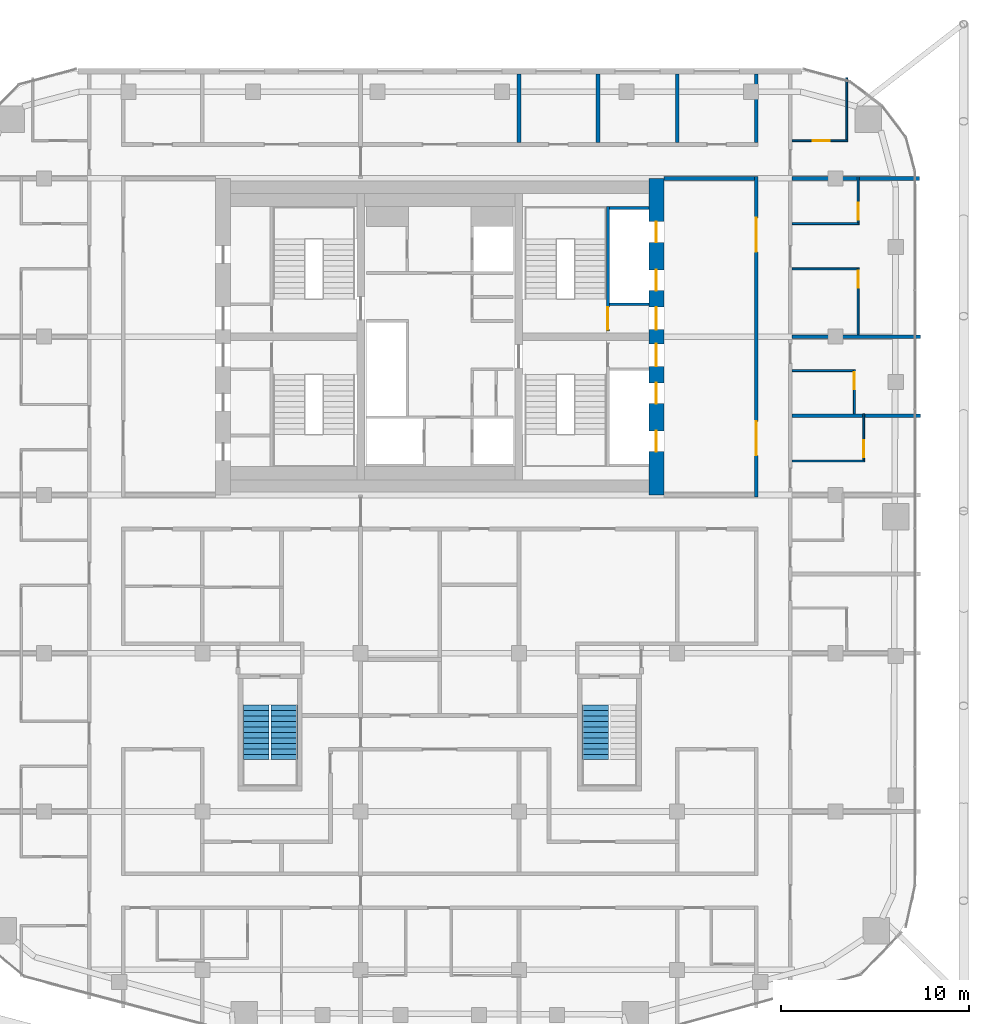
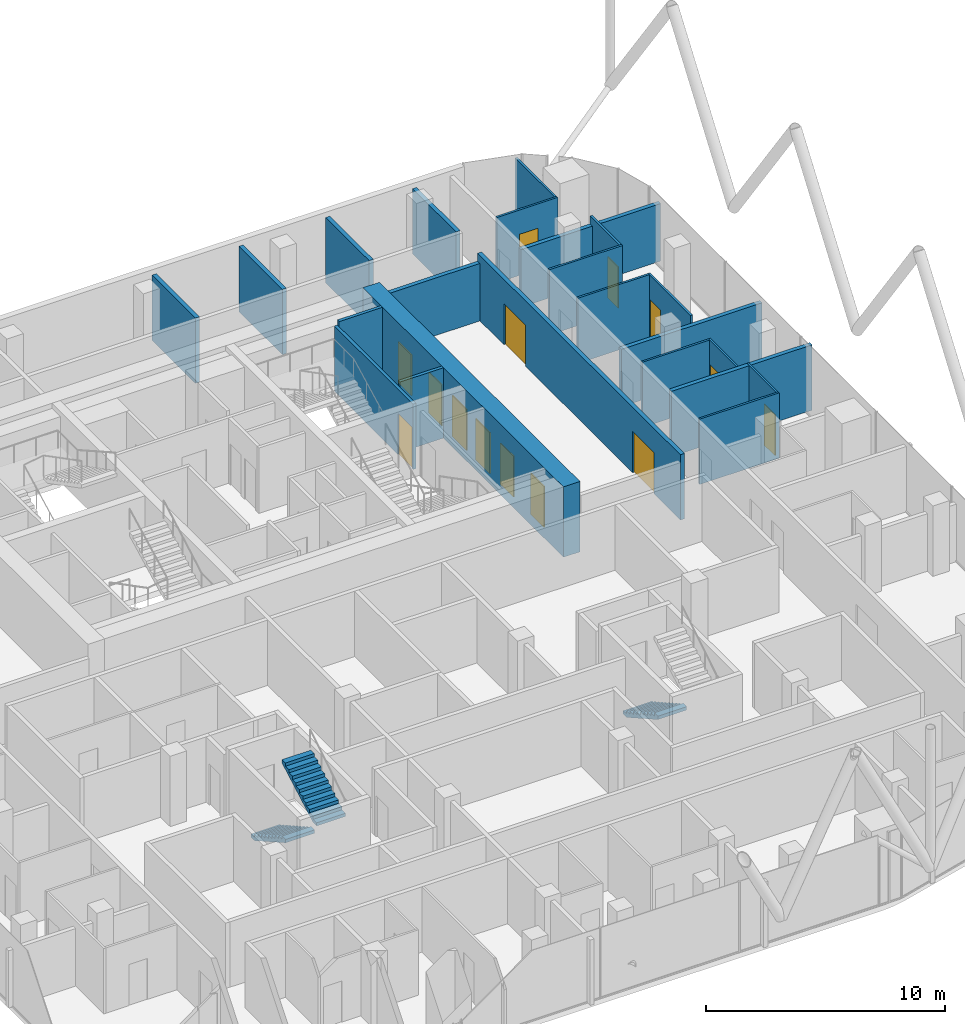
# One storey, part 26 of 28: 23 walls, 14 doors, 3 stair flights, 14 openings, 2 elements without a shape of their own.
"""IFC4 building model written with IfcOpenShell, lengths in metres."""

from ifc_helpers import new_model, si_unit, direction, frame, frame_2d, origin, place, context, subcontext, project, spatial, polyline, rectangle, outline, extrude, material, layer, layer_set, type_object, element, fill, aggregate, save


model = new_model("IFC4")

# Units and contexts
model_context = context("Model", 3, precision=1e-05, world=origin(), true_north=direction((0.0, 1.0)))
body_context = subcontext(model_context, "Body", "Model", "MODEL_VIEW")
ifc_project = project(units=[si_unit("LENGTHUNIT", "METRE"), si_unit("AREAUNIT", "SQUARE_METRE"), si_unit("VOLUMEUNIT", "CUBIC_METRE"), si_unit("PLANEANGLEUNIT", "RADIAN"), si_unit("MASSUNIT", "GRAM", prefix="KILO")], contexts=[model_context])

# Site, building, storey
site_placement = place(None, origin())
site = spatial("IfcSite", under=ifc_project, at=site_placement, CompositionType="ELEMENT")
building_placement = place(site_placement, origin())
building = spatial("IfcBuilding", under=site, at=building_placement, Name="Marenta Gate Hotel Tower", CompositionType="ELEMENT")
storey_placement = place(building_placement, frame((0.0, 0.0, 241.699951171875)))
storey = spatial("IfcBuildingStorey", under=building, at=storey_placement, Name="L57", CompositionType="ELEMENT", Elevation=241.699951171875)

# Wall, openings, doors
ifc_material_1 = material(Name="Concrete blockwork", Category="masonry")
ifc_layer_1 = layer(ifc_material_1, 0.199951171875)
ifc_layer_set_1 = layer_set([ifc_layer_1], Name="Concrete blockwork")
wall_type_1 = type_object("IfcWallType", Name="Core boundary wall 200 REI 180", PredefinedType="PARTITIONING", material=ifc_layer_set_1)
wall_1_placement = place(storey_placement, frame((16.800048828125, -0.10009765625, 0.0), z_axis=(0.0, 0.0, 1.0), x_axis=(0.0, 1.0, 0.0)))
wall_1 = element("IfcWall", 1, at=wall_1_placement, inside=storey, type_object=wall_type_1, Name="L57-CP-BW-E", PredefinedType="PARTITIONING", context=body_context, shape_type="SweptSolid", body=[
    extrude(rectangle(XDim=17.0, YDim=0.199951171875, at=frame_2d((8.5, 0.0))), origin(), (0.0, 0.0, 1.0), 3.340087890625),
])
opening_1_placement = place(wall_1_placement, frame((2.199951171875, 0.0, 0.0)))
opening_1 = element("IfcOpeningElement", 2, at=opening_1_placement, cuts=wall_1, Name="Opening ED-Ea-B", PredefinedType="OPENING", context=body_context, shape_type="SweptSolid", body=[
    extrude(rectangle(XDim=1.800048828125, YDim=2.10009765625, at=frame_2d((0.89990234375, 1.050048828125))), frame((0.0, 0.10009765625, 0.0), z_axis=(0.0, -1.0, 0.0), x_axis=(1.0, 0.0, 0.0)), (0.0, 0.0, 1.0), 0.199951171875),
])
opening_2_placement = place(wall_1_placement, frame((13.0, 0.0, 0.0)))
opening_2 = element("IfcOpeningElement", 3, at=opening_2_placement, cuts=wall_1, Name="Opening ED-Eb-B", PredefinedType="OPENING", context=body_context, shape_type="SweptSolid", body=[
    extrude(rectangle(XDim=1.800048828125, YDim=2.10009765625, at=frame_2d((0.89990234375, 1.050048828125))), frame((0.0, 0.10009765625, 0.0), z_axis=(0.0, -1.0, 0.0), x_axis=(1.0, 0.0, 0.0)), (0.0, 0.0, 1.0), 0.199951171875),
])
ifc_material_2 = material(Name="Steel", Category="steel")
door_type_1 = type_object("IfcDoorType", Name="Core lobby entrance door 1800x2100 EI 60", OperationType="DOUBLE_DOOR_SINGLE_SWING", PredefinedType="DOOR", material=ifc_material_2)
door_1_placement = place(opening_1_placement, origin())
door_1 = element("IfcDoor", 4, at=door_1_placement, inside=storey, type_object=door_type_1, Name="ED-Ea-B", OperationType="DOUBLE_DOOR_SINGLE_SWING", OverallHeight=2.10009765625, OverallWidth=1.800048828125, PredefinedType="DOOR", context=body_context, shape_type="SweptSolid", body=[
    extrude(rectangle(XDim=1.800048828125, YDim=2.10009765625, at=frame_2d((0.89990234375, 1.050048828125))), frame((0.0, 0.02490234375, 0.0), z_axis=(0.0, -1.0, 0.0), x_axis=(1.0, 0.0, 0.0)), (0.0, 0.0, 1.0), 0.050048828125),
])
fill(opening_1, door_1)
door_2_placement = place(opening_2_placement, origin())
door_2 = element("IfcDoor", 5, at=door_2_placement, inside=storey, type_object=door_type_1, Name="ED-Eb-B", OperationType="DOUBLE_DOOR_SINGLE_SWING", OverallHeight=2.10009765625, OverallWidth=1.800048828125, PredefinedType="DOOR", context=body_context, shape_type="SweptSolid", body=[
    extrude(rectangle(XDim=1.800048828125, YDim=2.10009765625, at=frame_2d((0.89990234375, 1.050048828125))), frame((0.0, 0.02490234375, 0.0), z_axis=(0.0, -1.0, 0.0), x_axis=(1.0, 0.0, 0.0)), (0.0, 0.0, 1.0), 0.050048828125),
])
fill(opening_2, door_2)

# Walls
wall_2_placement = place(storey_placement, frame((11.89990234375, 16.800048828125, 0.0), z_axis=(0.0, 0.0, 1.0), x_axis=(1.0, 0.0, 0.0)))
element("IfcWall", 6, at=wall_2_placement, inside=storey, type_object=wall_type_1, Name="L57-CP-EW-EN", PredefinedType="PARTITIONING", context=body_context, shape_type="SweptSolid", body=[
    extrude(rectangle(XDim=4.800048828125, YDim=0.199951171875, at=frame_2d((2.39990234375, 0.0))), origin(), (0.0, 0.0, 1.0), 2.93994140625),
])
ifc_material_3 = material(Name="Concrete C40", Category="concrete")
ifc_layer_2 = layer(ifc_material_3, 0.14990234375)
ifc_layer_set_2 = layer_set([ifc_layer_2], Name="Concrete C40")
wall_type_2 = type_object("IfcWallType", Name="Core shaft wall 150 REI 180", PredefinedType="SHEAR", material=ifc_layer_set_2)
for number, where, z_axis, x_axis, name in (
    (7, (9.0, 10.125, 0.0), (0.0, 0.0, 1.0), (1.0, 0.0, 0.0), "L57-SHF-SW-EN-2"),
    (8, (9.0, 15.22509765625, 0.0), (0.0, 0.0, 1.0), (1.0, 0.0, 0.0), "L57-SHF-SW-EN-5"),
):
    element("IfcWall", number, at=place(storey_placement, frame(where, z_axis=z_axis, x_axis=x_axis)), inside=storey, type_object=wall_type_2, Name=name, PredefinedType="SHEAR", context=body_context, shape_type="SweptSolid", body=[
        extrude(rectangle(XDim=2.10009765625, YDim=0.14990234375, at=frame_2d((1.050048828125, 0.0))), origin(), (0.0, 0.0, 1.0), 3.60009765625),
    ])

# Wall, opening, door
ifc_material_4 = material(Name="Concrete C40", Category="concrete")
ifc_layer_3 = layer(ifc_material_4, 0.14990234375)
ifc_layer_set_3 = layer_set([ifc_layer_3], Name="Concrete C40")
wall_type_3 = type_object("IfcWallType", Name="Core stair enclosure wall 150 REI 180", PredefinedType="SHEAR", material=ifc_layer_set_3)
wall_3_placement = place(storey_placement, frame((8.925048828125, 8.699951171875, 0.0), z_axis=(0.0, 0.0, 1.0), x_axis=(0.0, 1.0, 0.0)))
wall_3 = element("IfcWall", 9, at=wall_3_placement, inside=storey, type_object=wall_type_3, Name="L57-SHF-SW-EN-3", PredefinedType="SHEAR", context=body_context, shape_type="SweptSolid", body=[
    extrude(rectangle(XDim=6.60009765625, YDim=0.14990234375, at=frame_2d((3.300048828125, 0.0))), origin(), (0.0, 0.0, 1.0), 3.340087890625),
])
opening_3_placement = place(wall_3_placement, frame((0.074951171875, 0.0, 0.0)))
opening_3 = element("IfcOpeningElement", 10, at=opening_3_placement, cuts=wall_3, Name="Opening SD-EN", PredefinedType="OPENING", context=body_context, shape_type="SweptSolid", body=[
    extrude(rectangle(XDim=1.199951171875, YDim=2.10009765625, at=frame_2d((0.60009765625, 1.050048828125))), frame((0.0, 0.074951171875, 0.0), z_axis=(0.0, -1.0, 0.0), x_axis=(1.0, 0.0, 0.0)), (0.0, 0.0, 1.0), 0.14990234375),
])
ifc_material_5 = material(Name="Steel", Category="steel")
door_type_2 = type_object("IfcDoorType", Name="Core stair door 1200x2100 FD60", OperationType="SINGLE_SWING_LEFT", PredefinedType="DOOR", material=ifc_material_5)
door_3_placement = place(opening_3_placement, origin())
door_3 = element("IfcDoor", 11, at=door_3_placement, inside=storey, type_object=door_type_2, Name="SD-EN", OperationType="SINGLE_SWING_LEFT", OverallHeight=2.10009765625, OverallWidth=1.199951171875, PredefinedType="DOOR", context=body_context, shape_type="SweptSolid", body=[
    extrude(rectangle(XDim=1.199951171875, YDim=2.10009765625, at=frame_2d((0.60009765625, 1.050048828125))), frame((0.0, 0.02490234375, 0.0), z_axis=(0.0, -1.0, 0.0), x_axis=(1.0, 0.0, 0.0)), (0.0, 0.0, 1.0), 0.050048828125),
])
fill(opening_3, door_3)

# Wall, openings, doors
ifc_material_6 = material(Name="Concrete C60", Category="concrete")
ifc_layer_4 = layer(ifc_material_6, 0.800048828125)
ifc_layer_set_4 = layer_set([ifc_layer_4], Name="Concrete C60")
wall_type_4 = type_object("IfcWallType", Name="Core wall 800 C60", PredefinedType="SHEAR", material=ifc_layer_set_4)
wall_4_placement = place(storey_placement, frame((11.5, 0.0, 0.0), z_axis=(0.0, 0.0, 1.0), x_axis=(0.0, 1.0, 0.0)))
wall_4 = element("IfcWall", 12, at=wall_4_placement, inside=storey, type_object=wall_type_4, Name="L57-CORE-E", PredefinedType="SHEAR", context=body_context, shape_type="SweptSolid", body=[
    extrude(rectangle(XDim=16.800048828125, YDim=0.800048828125, at=frame_2d((8.39990234375, 0.0))), origin(), (0.0, 0.0, 1.0), 3.60009765625),
])
opening_4_placement = place(wall_4_placement, frame((2.300048828125, 0.0, 0.0)))
opening_4 = element("IfcOpeningElement", 13, at=opening_4_placement, cuts=wall_4, Name="Opening LD-HR1", PredefinedType="OPENING", context=body_context, shape_type="SweptSolid", body=[
    extrude(rectangle(XDim=1.10009765625, YDim=2.10009765625, at=frame_2d((0.550048828125, 1.050048828125))), frame((0.0, 0.39990234375, 0.0), z_axis=(0.0, -1.0, 0.0), x_axis=(1.0, 0.0, 0.0)), (0.0, 0.0, 1.0), 0.800048828125),
])
opening_5_placement = place(wall_4_placement, frame((4.85009765625, 0.0, 0.0)))
opening_5 = element("IfcOpeningElement", 14, at=opening_5_placement, cuts=wall_4, Name="Opening LD-HR2", PredefinedType="OPENING", context=body_context, shape_type="SweptSolid", body=[
    extrude(rectangle(XDim=1.10009765625, YDim=2.10009765625, at=frame_2d((0.550048828125, 1.050048828125))), frame((0.0, 0.39990234375, 0.0), z_axis=(0.0, -1.0, 0.0), x_axis=(1.0, 0.0, 0.0)), (0.0, 0.0, 1.0), 0.800048828125),
])
opening_6_placement = place(wall_4_placement, frame((6.824951171875, 0.0, 0.0)))
opening_6 = element("IfcOpeningElement", 15, at=opening_6_placement, cuts=wall_4, Name="Opening PD-ES", PredefinedType="OPENING", context=body_context, shape_type="SweptSolid", body=[
    extrude(rectangle(XDim=1.199951171875, YDim=2.10009765625, at=frame_2d((0.60009765625, 1.050048828125))), frame((0.0, 0.39990234375, 0.0), z_axis=(0.0, -1.0, 0.0), x_axis=(1.0, 0.0, 0.0)), (0.0, 0.0, 1.0), 0.800048828125),
])
opening_7_placement = place(wall_4_placement, frame((13.39990234375, 0.0, 0.0)))
opening_7 = element("IfcOpeningElement", 16, at=opening_7_placement, cuts=wall_4, Name="Opening LD-HR4", PredefinedType="OPENING", context=body_context, shape_type="SweptSolid", body=[
    extrude(rectangle(XDim=1.10009765625, YDim=2.10009765625, at=frame_2d((0.550048828125, 1.050048828125))), frame((0.0, 0.39990234375, 0.0), z_axis=(0.0, -1.0, 0.0), x_axis=(1.0, 0.0, 0.0)), (0.0, 0.0, 1.0), 0.800048828125),
])
opening_8_placement = place(wall_4_placement, frame((10.85009765625, 0.0, 0.0)))
opening_8 = element("IfcOpeningElement", 17, at=opening_8_placement, cuts=wall_4, Name="Opening LD-HR3", PredefinedType="OPENING", context=body_context, shape_type="SweptSolid", body=[
    extrude(rectangle(XDim=1.10009765625, YDim=2.10009765625, at=frame_2d((0.550048828125, 1.050048828125))), frame((0.0, 0.39990234375, 0.0), z_axis=(0.0, -1.0, 0.0), x_axis=(1.0, 0.0, 0.0)), (0.0, 0.0, 1.0), 0.800048828125),
])
opening_9_placement = place(wall_4_placement, frame((8.77490234375, 0.0, 0.0)))
opening_9 = element("IfcOpeningElement", 18, at=opening_9_placement, cuts=wall_4, Name="Opening PD-EN", PredefinedType="OPENING", context=body_context, shape_type="SweptSolid", body=[
    extrude(rectangle(XDim=1.199951171875, YDim=2.10009765625, at=frame_2d((0.60009765625, 1.050048828125))), frame((0.0, 0.39990234375, 0.0), z_axis=(0.0, -1.0, 0.0), x_axis=(1.0, 0.0, 0.0)), (0.0, 0.0, 1.0), 0.800048828125),
])
ifc_material_7 = material(Name="Steel", Category="steel")
door_type_3 = type_object("IfcDoorType", Name="Core lift landing door 1100x2100 E 60", OperationType="SLIDING_TO_LEFT", PredefinedType="DOOR", material=ifc_material_7)
door_4_placement = place(opening_4_placement, origin())
door_4 = element("IfcDoor", 19, at=door_4_placement, inside=storey, type_object=door_type_3, Name="LD-HR1", OperationType="SLIDING_TO_LEFT", OverallHeight=2.10009765625, OverallWidth=1.10009765625, PredefinedType="DOOR", context=body_context, shape_type="SweptSolid", body=[
    extrude(rectangle(XDim=1.10009765625, YDim=2.10009765625, at=frame_2d((0.550048828125, 1.050048828125))), frame((0.0, 0.02490234375, 0.0), z_axis=(0.0, -1.0, 0.0), x_axis=(1.0, 0.0, 0.0)), (0.0, 0.0, 1.0), 0.050048828125),
])
fill(opening_4, door_4)
door_5_placement = place(opening_5_placement, origin())
door_5 = element("IfcDoor", 20, at=door_5_placement, inside=storey, type_object=door_type_3, Name="LD-HR2", OperationType="SLIDING_TO_LEFT", OverallHeight=2.10009765625, OverallWidth=1.10009765625, PredefinedType="DOOR", context=body_context, shape_type="SweptSolid", body=[
    extrude(rectangle(XDim=1.10009765625, YDim=2.10009765625, at=frame_2d((0.550048828125, 1.050048828125))), frame((0.0, 0.02490234375, 0.0), z_axis=(0.0, -1.0, 0.0), x_axis=(1.0, 0.0, 0.0)), (0.0, 0.0, 1.0), 0.050048828125),
])
fill(opening_5, door_5)
door_6_placement = place(opening_7_placement, origin())
door_6 = element("IfcDoor", 21, at=door_6_placement, inside=storey, type_object=door_type_3, Name="LD-HR4", OperationType="SLIDING_TO_LEFT", OverallHeight=2.10009765625, OverallWidth=1.10009765625, PredefinedType="DOOR", context=body_context, shape_type="SweptSolid", body=[
    extrude(rectangle(XDim=1.10009765625, YDim=2.10009765625, at=frame_2d((0.550048828125, 1.050048828125))), frame((0.0, 0.02490234375, 0.0), z_axis=(0.0, -1.0, 0.0), x_axis=(1.0, 0.0, 0.0)), (0.0, 0.0, 1.0), 0.050048828125),
])
fill(opening_7, door_6)
door_7_placement = place(opening_8_placement, origin())
door_7 = element("IfcDoor", 22, at=door_7_placement, inside=storey, type_object=door_type_3, Name="LD-HR3", OperationType="SLIDING_TO_LEFT", OverallHeight=2.10009765625, OverallWidth=1.10009765625, PredefinedType="DOOR", context=body_context, shape_type="SweptSolid", body=[
    extrude(rectangle(XDim=1.10009765625, YDim=2.10009765625, at=frame_2d((0.550048828125, 1.050048828125))), frame((0.0, 0.02490234375, 0.0), z_axis=(0.0, -1.0, 0.0), x_axis=(1.0, 0.0, 0.0)), (0.0, 0.0, 1.0), 0.050048828125),
])
fill(opening_8, door_7)
ifc_material_8 = material(Name="Steel", Category="steel")
door_type_4 = type_object("IfcDoorType", Name="Core lobby door 1200x2100 FD60", OperationType="SINGLE_SWING_LEFT", PredefinedType="DOOR", material=ifc_material_8)
door_8_placement = place(opening_6_placement, origin())
door_8 = element("IfcDoor", 23, at=door_8_placement, inside=storey, type_object=door_type_4, Name="PD-ES", OperationType="SINGLE_SWING_LEFT", OverallHeight=2.10009765625, OverallWidth=1.199951171875, PredefinedType="DOOR", context=body_context, shape_type="SweptSolid", body=[
    extrude(rectangle(XDim=1.199951171875, YDim=2.10009765625, at=frame_2d((0.60009765625, 1.050048828125))), frame((0.0, 0.02490234375, 0.0), z_axis=(0.0, -1.0, 0.0), x_axis=(1.0, 0.0, 0.0)), (0.0, 0.0, 1.0), 0.050048828125),
])
fill(opening_6, door_8)
door_9_placement = place(opening_9_placement, origin())
door_9 = element("IfcDoor", 24, at=door_9_placement, inside=storey, type_object=door_type_4, Name="PD-EN", OperationType="SINGLE_SWING_LEFT", OverallHeight=2.10009765625, OverallWidth=1.199951171875, PredefinedType="DOOR", context=body_context, shape_type="SweptSolid", body=[
    extrude(rectangle(XDim=1.199951171875, YDim=2.10009765625, at=frame_2d((0.60009765625, 1.050048828125))), frame((0.0, 0.02490234375, 0.0), z_axis=(0.0, -1.0, 0.0), x_axis=(1.0, 0.0, 0.0)), (0.0, 0.0, 1.0), 0.050048828125),
])
fill(opening_9, door_9)

# Wall
ifc_material_9 = material(Name="Gypsum board on steel stud", Category="steel")
ifc_layer_5 = layer(ifc_material_9, 0.199951171875)
ifc_layer_set_5 = layer_set([ifc_layer_5], Name="Gypsum board on steel stud")
wall_type_5 = type_object("IfcWallType", Name="Room corridor wall 200 EI 60", PredefinedType="PARTITIONING", material=ifc_layer_set_5)
wall_5_placement = place(storey_placement, frame((16.800048828125, 18.699951171875, 0.0), z_axis=(0.0, 0.0, 1.0), x_axis=(0.0, 1.0, 0.0)))
element("IfcWall", 25, at=wall_5_placement, inside=storey, type_object=wall_type_5, Name="L57-PTN-W023", PredefinedType="PARTITIONING", context=body_context, shape_type="SweptSolid", body=[
    extrude(rectangle(XDim=3.64013671875, YDim=0.199951171875, at=frame_2d((1.820068359375, 0.0))), origin(), (0.0, 0.0, 1.0), 3.340087890625),
])

# Wall, opening, door
ifc_material_10 = material(Name="Gypsum board on steel stud", Category="steel")
ifc_layer_6 = layer(ifc_material_10, 0.10009765625)
ifc_layer_set_6 = layer_set([ifc_layer_6], Name="Gypsum board on steel stud")
wall_type_6 = type_object("IfcWallType", Name="Room partition 100", PredefinedType="PARTITIONING", material=ifc_layer_set_6)
wall_6_placement = place(storey_placement, frame((22.5, 1.85009765625, 0.0), z_axis=(0.0, 0.0, 1.0), x_axis=(0.0, 1.0, 0.0)))
wall_6 = element("IfcWall", 26, at=wall_6_placement, inside=storey, type_object=wall_type_6, Name="L57-PTN-W007", PredefinedType="PARTITIONING", context=body_context, shape_type="SweptSolid", body=[
    extrude(rectangle(XDim=2.449951171875, YDim=0.10009765625, at=frame_2d((1.22509765625, 0.0))), origin(), (0.0, 0.0, 1.0), 3.340087890625),
])
opening_10_placement = place(wall_6_placement, frame((0.14990234375, 0.0, 0.0)))
opening_10 = element("IfcOpeningElement", 27, at=opening_10_placement, cuts=wall_6, Name="Opening G21-21", PredefinedType="OPENING", context=body_context, shape_type="SweptSolid", body=[
    extrude(rectangle(XDim=0.89990234375, YDim=2.10009765625, at=frame_2d((0.449951171875, 1.050048828125))), frame((0.0, 0.050048828125, 0.0), z_axis=(0.0, -1.0, 0.0), x_axis=(1.0, 0.0, 0.0)), (0.0, 0.0, 1.0), 0.10009765625),
])
ifc_material_11 = material(Name="Timber door leaf", Category="wood")
door_type_5 = type_object("IfcDoorType", Name="Guest bathroom door 900x2100", OperationType="NOTDEFINED", PredefinedType="DOOR", material=ifc_material_11)
door_10_placement = place(opening_10_placement, origin())
door_10 = element("IfcDoor", 28, at=door_10_placement, inside=storey, type_object=door_type_5, Name="L57-PD-D021", OperationType="SINGLE_SWING_LEFT", OverallHeight=2.10009765625, OverallWidth=0.89990234375, PredefinedType="DOOR", context=body_context, shape_type="SweptSolid", body=[
    extrude(rectangle(XDim=0.89990234375, YDim=2.10009765625, at=frame_2d((0.449951171875, 1.050048828125))), frame((0.0, 0.02490234375, 0.0), z_axis=(0.0, -1.0, 0.0), x_axis=(1.0, 0.0, 0.0)), (0.0, 0.0, 1.0), 0.050048828125),
])
fill(opening_10, door_10)

wall_7_placement = place(storey_placement, frame((22.199951171875, 8.5, 0.0), z_axis=(0.0, 0.0, 1.0), x_axis=(0.0, 1.0, 0.0)))
wall_7 = element("IfcWall", 29, at=wall_7_placement, inside=storey, type_object=wall_type_6, Name="L57-PTN-W008", PredefinedType="PARTITIONING", context=body_context, shape_type="SweptSolid", body=[
    extrude(rectangle(XDim=3.550048828125, YDim=0.10009765625, at=frame_2d((1.77490234375, 0.0))), origin(), (0.0, 0.0, 1.0), 3.340087890625),
])
opening_11_placement = place(wall_7_placement, frame((2.5, 0.0, 0.0)))
opening_11 = element("IfcOpeningElement", 30, at=opening_11_placement, cuts=wall_7, Name="Opening G21-25", PredefinedType="OPENING", context=body_context, shape_type="SweptSolid", body=[
    extrude(rectangle(XDim=0.89990234375, YDim=2.10009765625, at=frame_2d((0.449951171875, 1.050048828125))), frame((0.0, 0.050048828125, 0.0), z_axis=(0.0, -1.0, 0.0), x_axis=(1.0, 0.0, 0.0)), (0.0, 0.0, 1.0), 0.10009765625),
])
door_11_placement = place(opening_11_placement, origin())
door_11 = element("IfcDoor", 31, at=door_11_placement, inside=storey, type_object=door_type_5, Name="L57-PD-D025", OperationType="SINGLE_SWING_RIGHT", OverallHeight=2.10009765625, OverallWidth=0.89990234375, PredefinedType="DOOR", context=body_context, shape_type="SweptSolid", body=[
    extrude(rectangle(XDim=0.89990234375, YDim=2.10009765625, at=frame_2d((0.449951171875, 1.050048828125))), frame((0.0, 0.02490234375, 0.0), z_axis=(0.0, -1.0, 0.0), x_axis=(1.0, 0.0, 0.0)), (0.0, 0.0, 1.0), 0.050048828125),
])
fill(opening_11, door_11)

wall_8_placement = place(storey_placement, frame((22.199951171875, 14.449951171875, 0.0), z_axis=(0.0, 0.0, 1.0), x_axis=(0.0, 1.0, 0.0)))
wall_8 = element("IfcWall", 32, at=wall_8_placement, inside=storey, type_object=wall_type_6, Name="L57-PTN-W009", PredefinedType="PARTITIONING", context=body_context, shape_type="SweptSolid", body=[
    extrude(rectangle(XDim=2.449951171875, YDim=0.10009765625, at=frame_2d((1.22509765625, 0.0))), origin(), (0.0, 0.0, 1.0), 3.340087890625),
])
opening_12_placement = place(wall_8_placement, frame((0.14990234375, 0.0, 0.0)))
opening_12 = element("IfcOpeningElement", 33, at=opening_12_placement, cuts=wall_8, Name="Opening G21-26", PredefinedType="OPENING", context=body_context, shape_type="SweptSolid", body=[
    extrude(rectangle(XDim=0.89990234375, YDim=2.10009765625, at=frame_2d((0.449951171875, 1.050048828125))), frame((0.0, 0.050048828125, 0.0), z_axis=(0.0, -1.0, 0.0), x_axis=(1.0, 0.0, 0.0)), (0.0, 0.0, 1.0), 0.10009765625),
])
ifc_material_12 = material(Name="Timber door leaf", Category="wood")
door_type_6 = type_object("IfcDoorType", Name="Room inner door 900x2100", OperationType="NOTDEFINED", PredefinedType="DOOR", material=ifc_material_12)
door_12_placement = place(opening_12_placement, origin())
door_12 = element("IfcDoor", 34, at=door_12_placement, inside=storey, type_object=door_type_6, Name="L57-PD-D026", OperationType="SINGLE_SWING_LEFT", OverallHeight=2.10009765625, OverallWidth=0.89990234375, PredefinedType="DOOR", context=body_context, shape_type="SweptSolid", body=[
    extrude(rectangle(XDim=0.89990234375, YDim=2.10009765625, at=frame_2d((0.449951171875, 1.050048828125))), frame((0.0, 0.02490234375, 0.0), z_axis=(0.0, -1.0, 0.0), x_axis=(1.0, 0.0, 0.0)), (0.0, 0.0, 1.0), 0.050048828125),
])
fill(opening_12, door_12)

wall_9_placement = place(storey_placement, frame((22.0, 4.300048828125, 0.0), z_axis=(0.0, 0.0, 1.0), x_axis=(0.0, 1.0, 0.0)))
wall_9 = element("IfcWall", 35, at=wall_9_placement, inside=storey, type_object=wall_type_6, Name="L57-PTN-W010", PredefinedType="PARTITIONING", context=body_context, shape_type="SweptSolid", body=[
    extrude(rectangle(XDim=2.349853515625, YDim=0.10009765625, at=frame_2d((1.1748046875, 0.0))), origin(), (0.0, 0.0, 1.0), 3.340087890625),
])
opening_13_placement = place(wall_9_placement, frame((1.300048828125, 0.0, 0.0)))
opening_13 = element("IfcOpeningElement", 36, at=opening_13_placement, cuts=wall_9, Name="Opening G21-23", PredefinedType="OPENING", context=body_context, shape_type="SweptSolid", body=[
    extrude(rectangle(XDim=0.89990234375, YDim=2.10009765625, at=frame_2d((0.449951171875, 1.050048828125))), frame((0.0, 0.050048828125, 0.0), z_axis=(0.0, -1.0, 0.0), x_axis=(1.0, 0.0, 0.0)), (0.0, 0.0, 1.0), 0.10009765625),
])
door_13_placement = place(opening_13_placement, origin())
door_13 = element("IfcDoor", 37, at=door_13_placement, inside=storey, type_object=door_type_5, Name="L57-PD-D023", OperationType="SINGLE_SWING_RIGHT", OverallHeight=2.10009765625, OverallWidth=0.89990234375, PredefinedType="DOOR", context=body_context, shape_type="SweptSolid", body=[
    extrude(rectangle(XDim=0.89990234375, YDim=2.10009765625, at=frame_2d((0.449951171875, 1.050048828125))), frame((0.0, 0.02490234375, 0.0), z_axis=(0.0, -1.0, 0.0), x_axis=(1.0, 0.0, 0.0)), (0.0, 0.0, 1.0), 0.050048828125),
])
fill(opening_13, door_13)

# Walls
wall_10_placement = place(storey_placement, frame((21.60009765625, 18.85009765625, 0.0), z_axis=(0.0, 0.0, 1.0), x_axis=(0.0, 1.0, 0.0)))
element("IfcWall", 38, at=wall_10_placement, inside=storey, type_object=wall_type_6, Name="L57-PTN-W013", PredefinedType="PARTITIONING", context=body_context, shape_type="SweptSolid", body=[
    extrude(rectangle(XDim=3.294921875, YDim=0.10009765625, at=frame_2d((1.6474609375, 0.0))), origin(), (0.0, 0.0, 1.0), 3.340087890625),
])
wall_11_placement = place(storey_placement, frame((18.699951171875, 1.800048828125, 0.0), z_axis=(0.0, 0.0, 1.0), x_axis=(1.0, 0.0, 0.0)))
element("IfcWall", 39, at=wall_11_placement, inside=storey, type_object=wall_type_6, Name="L57-PTN-W067", PredefinedType="PARTITIONING", context=body_context, shape_type="SweptSolid", body=[
    extrude(rectangle(XDim=3.85009765625, YDim=0.10009765625, at=frame_2d((1.925048828125, 0.0))), origin(), (0.0, 0.0, 1.0), 3.340087890625),
])
wall_12_placement = place(storey_placement, frame((18.699951171875, 6.60009765625, 0.0), z_axis=(0.0, 0.0, 1.0), x_axis=(1.0, 0.0, 0.0)))
element("IfcWall", 40, at=wall_12_placement, inside=storey, type_object=wall_type_6, Name="L57-PTN-W076", PredefinedType="PARTITIONING", context=body_context, shape_type="SweptSolid", body=[
    extrude(rectangle(XDim=3.25, YDim=0.10009765625, at=frame_2d((1.625, 0.0))), origin(), (0.0, 0.0, 1.0), 3.340087890625),
])
wall_13_placement = place(storey_placement, frame((18.699951171875, 12.0, 0.0), z_axis=(0.0, 0.0, 1.0), x_axis=(1.0, 0.0, 0.0)))
element("IfcWall", 41, at=wall_13_placement, inside=storey, type_object=wall_type_6, Name="L57-PTN-W086", PredefinedType="PARTITIONING", context=body_context, shape_type="SweptSolid", body=[
    extrude(rectangle(XDim=3.449951171875, YDim=0.10009765625, at=frame_2d((1.72509765625, 0.0))), origin(), (0.0, 0.0, 1.0), 3.340087890625),
])
wall_14_placement = place(storey_placement, frame((18.699951171875, 14.39990234375, 0.0), z_axis=(0.0, 0.0, 1.0), x_axis=(1.0, 0.0, 0.0)))
element("IfcWall", 42, at=wall_14_placement, inside=storey, type_object=wall_type_6, Name="L57-PTN-W093", PredefinedType="PARTITIONING", context=body_context, shape_type="SweptSolid", body=[
    extrude(rectangle(XDim=3.550048828125, YDim=0.10009765625, at=frame_2d((1.77490234375, 0.0))), origin(), (0.0, 0.0, 1.0), 3.340087890625),
])

# Wall, opening, door
wall_15_placement = place(storey_placement, frame((18.699951171875, 18.800048828125, 0.0), z_axis=(0.0, 0.0, 1.0), x_axis=(1.0, 0.0, 0.0)))
wall_15 = element("IfcWall", 43, at=wall_15_placement, inside=storey, type_object=wall_type_6, Name="L57-PTN-W104", PredefinedType="PARTITIONING", context=body_context, shape_type="SweptSolid", body=[
    extrude(rectangle(XDim=2.949951171875, YDim=0.10009765625, at=frame_2d((1.47509765625, 0.0))), origin(), (0.0, 0.0, 1.0), 3.340087890625),
])
opening_14_placement = place(wall_15_placement, frame((1.10009765625, 0.0, 0.0)))
opening_14 = element("IfcOpeningElement", 44, at=opening_14_placement, cuts=wall_15, Name="Opening G21-28", PredefinedType="OPENING", context=body_context, shape_type="SweptSolid", body=[
    extrude(rectangle(XDim=0.89990234375, YDim=2.10009765625, at=frame_2d((0.449951171875, 1.050048828125))), frame((0.0, 0.050048828125, 0.0), z_axis=(0.0, -1.0, 0.0), x_axis=(1.0, 0.0, 0.0)), (0.0, 0.0, 1.0), 0.10009765625),
])
door_14_placement = place(opening_14_placement, origin())
door_14 = element("IfcDoor", 45, at=door_14_placement, inside=storey, type_object=door_type_5, Name="L57-PD-D028", OperationType="SINGLE_SWING_RIGHT", OverallHeight=2.10009765625, OverallWidth=0.89990234375, PredefinedType="DOOR", context=body_context, shape_type="SweptSolid", body=[
    extrude(rectangle(XDim=0.89990234375, YDim=2.10009765625, at=frame_2d((0.449951171875, 1.050048828125))), frame((0.0, 0.02490234375, 0.0), z_axis=(0.0, -1.0, 0.0), x_axis=(1.0, 0.0, 0.0)), (0.0, 0.0, 1.0), 0.050048828125),
])
fill(opening_14, door_14)

# Walls
ifc_material_13 = material(Name="Gypsum board on steel stud", Category="steel")
ifc_layer_7 = layer(ifc_material_13, 0.199951171875)
ifc_layer_set_7 = layer_set([ifc_layer_7], Name="Gypsum board on steel stud")
wall_type_7 = type_object("IfcWallType", Name="Room party wall 200 EI 60", PredefinedType="PARTITIONING", material=ifc_layer_set_7)
for number, where, z_axis, x_axis, name in (
    (46, (12.60009765625, 18.699951171875, 0.0), (0.0, 0.0, 1.0), (0.0, 1.0, 0.0), "L57-PTN-W034"),
    (47, (8.39990234375, 18.699951171875, 0.0), (0.0, 0.0, 1.0), (0.0, 1.0, 0.0), "L57-PTN-W040"),
    (48, (4.199951171875, 18.699951171875, 0.0), (0.0, 0.0, 1.0), (0.0, 1.0, 0.0), "L57-PTN-W057"),
):
    element("IfcWall", number, at=place(storey_placement, frame(where, z_axis=z_axis, x_axis=x_axis)), inside=storey, type_object=wall_type_7, Name=name, PredefinedType="PARTITIONING", context=body_context, shape_type="SweptSolid", body=[
        extrude(rectangle(XDim=3.64013671875, YDim=0.199951171875, at=frame_2d((1.820068359375, 0.0))), origin(), (0.0, 0.0, 1.0), 3.340087890625),
    ])
wall_16_placement = place(storey_placement, frame((18.699951171875, 4.199951171875, 0.0), z_axis=(0.0, 0.0, 1.0), x_axis=(1.0, 0.0, 0.0)))
element("IfcWall", 49, at=wall_16_placement, inside=storey, type_object=wall_type_7, Name="L57-PTN-W073", PredefinedType="PARTITIONING", context=body_context, shape_type="SweptSolid", body=[
    extrude(rectangle(XDim=6.800048828125, YDim=0.199951171875, at=frame_2d((3.39990234375, 0.0))), origin(), (0.0, 0.0, 1.0), 3.340087890625),
])
wall_17_placement = place(storey_placement, frame((18.699951171875, 8.39990234375, 0.0), z_axis=(0.0, 0.0, 1.0), x_axis=(1.0, 0.0, 0.0)))
element("IfcWall", 50, at=wall_17_placement, inside=storey, type_object=wall_type_7, Name="L57-PTN-W082", PredefinedType="PARTITIONING", context=body_context, shape_type="SweptSolid", body=[
    extrude(rectangle(XDim=6.800048828125, YDim=0.199951171875, at=frame_2d((3.39990234375, 0.0))), origin(), (0.0, 0.0, 1.0), 2.93994140625),
])
wall_18_placement = place(storey_placement, frame((18.699951171875, 16.800048828125, 0.0), z_axis=(0.0, 0.0, 1.0), x_axis=(1.0, 0.0, 0.0)))
element("IfcWall", 51, at=wall_18_placement, inside=storey, type_object=wall_type_7, Name="L57-PTN-W100", PredefinedType="PARTITIONING", context=body_context, shape_type="SweptSolid", body=[
    extrude(rectangle(XDim=6.7470703125, YDim=0.199951171875, at=frame_2d((3.37353515625, 0.0))), origin(), (0.0, 0.0, 1.0), 2.93994140625),
])

# Stair, stair flights
ifc_material_14 = material(Name="Concrete C40", Category="concrete")
stair_type = type_object("IfcStairType", Name="Remote exit stair 1400 wide", PredefinedType="HALF_TURN_STAIR", material=ifc_material_14)
stair_1_placement = place(storey_placement, origin())
stair_1 = element("IfcStair", 52, at=stair_1_placement, inside=storey, type_object=stair_type, Name="Exit stair RS-Z3-1", PredefinedType="HALF_TURN_STAIR")
ifc_material_15 = material(Name="Concrete C40", Category="concrete")
stair_flight_type = type_object("IfcStairFlightType", Name="Remote stair flight 1400 riser 163.6 going 290", PredefinedType="STRAIGHT", material=ifc_material_15)
stair_flight_1_placement = place(storey_placement, frame((-9.75, -11.14990234375, 0.0), z_axis=(0.0, 0.0, 1.0), x_axis=(0.0, -1.0, 0.0)))
stair_flight_1 = element("IfcStairFlight", 53, at=stair_flight_1_placement, type_object=stair_flight_type, Name="RS-Z3-1 flight 1", NumberOfRisers=11, NumberOfTreads=10, PredefinedType="STRAIGHT", RiserHeight=0.163636, TreadLength=0.29, context=body_context, shape_type="SweptSolid", body=[
    extrude(outline(polyline([(0.0, 0.0), (0.0, 0.16357421875), (0.2900390625, 0.16357421875), (0.2900390625, 0.327392578125), (0.580078125, 0.327392578125), (0.580078125, 0.490966796875), (0.8701171875, 0.490966796875), (0.8701171875, 0.654541015625), (1.159912109375, 0.654541015625), (1.159912109375, 0.818115234375), (1.449951171875, 0.818115234375), (1.449951171875, 0.98193359375), (1.739990234375, 0.98193359375), (1.739990234375, 1.1455078125), (2.030029296875, 1.1455078125), (2.030029296875, 1.30908203125), (2.320068359375, 1.30908203125), (2.320068359375, 1.47265625), (2.610107421875, 1.47265625), (2.610107421875, 1.636474609375), (2.89990234375, 1.636474609375), (2.89990234375, 1.800048828125), (2.89990234375, 1.46435546875), (0.304931640625, 0.0), (0.0, 0.0)])), frame((0.0, 0.699951171875, 0.0), z_axis=(0.0, -1.0, 0.0), x_axis=(1.0, 0.0, 0.0)), (0.0, 0.0, 1.0), 1.39990234375),
])
stair_flight_2_placement = place(storey_placement, frame((-8.25, -14.050048828125, 1.800048828125), z_axis=(0.0, 0.0, 1.0), x_axis=(0.0, 1.0, 0.0)))
stair_flight_2 = element("IfcStairFlight", 54, at=stair_flight_2_placement, type_object=stair_flight_type, Name="RS-Z3-1 flight 2", NumberOfRisers=11, NumberOfTreads=10, PredefinedType="STRAIGHT", RiserHeight=0.163636, TreadLength=0.29, context=body_context, shape_type="SweptSolid", body=[
    extrude(outline(polyline([(0.0, 0.0), (0.0, 0.16357421875), (0.2900390625, 0.16357421875), (0.2900390625, 0.327392578125), (0.580078125, 0.327392578125), (0.580078125, 0.490966796875), (0.8701171875, 0.490966796875), (0.8701171875, 0.654541015625), (1.159912109375, 0.654541015625), (1.159912109375, 0.818115234375), (1.449951171875, 0.818115234375), (1.449951171875, 0.98193359375), (1.739990234375, 0.98193359375), (1.739990234375, 1.1455078125), (2.030029296875, 1.1455078125), (2.030029296875, 1.30908203125), (2.320068359375, 1.30908203125), (2.320068359375, 1.47265625), (2.610107421875, 1.47265625), (2.610107421875, 1.636474609375), (2.89990234375, 1.636474609375), (2.89990234375, 1.800048828125), (2.89990234375, 1.46435546875), (0.304931640625, 0.0), (0.0, 0.0)])), frame((0.0, 0.699951171875, 0.0), z_axis=(0.0, -1.0, 0.0), x_axis=(1.0, 0.0, 0.0)), (0.0, 0.0, 1.0), 1.39990234375),
])
aggregate(stair_1, [stair_flight_1, stair_flight_2])

# Stair, stair flight
stair_2_placement = place(storey_placement, origin())
stair_2 = element("IfcStair", 55, at=stair_2_placement, inside=storey, type_object=stair_type, Name="Exit stair RS-Z3-2", PredefinedType="HALF_TURN_STAIR")
stair_flight_3_placement = place(storey_placement, frame((8.25, -11.14990234375, 0.0), z_axis=(0.0, 0.0, 1.0), x_axis=(0.0, -1.0, 0.0)))
stair_flight_3 = element("IfcStairFlight", 56, at=stair_flight_3_placement, type_object=stair_flight_type, Name="RS-Z3-2 flight 1", NumberOfRisers=11, NumberOfTreads=10, PredefinedType="STRAIGHT", RiserHeight=0.163636, TreadLength=0.29, context=body_context, shape_type="SweptSolid", body=[
    extrude(outline(polyline([(0.0, 0.0), (0.0, 0.16357421875), (0.2900390625, 0.16357421875), (0.2900390625, 0.327392578125), (0.580078125, 0.327392578125), (0.580078125, 0.490966796875), (0.8701171875, 0.490966796875), (0.8701171875, 0.654541015625), (1.159912109375, 0.654541015625), (1.159912109375, 0.818115234375), (1.449951171875, 0.818115234375), (1.449951171875, 0.98193359375), (1.739990234375, 0.98193359375), (1.739990234375, 1.1455078125), (2.030029296875, 1.1455078125), (2.030029296875, 1.30908203125), (2.320068359375, 1.30908203125), (2.320068359375, 1.47265625), (2.610107421875, 1.47265625), (2.610107421875, 1.636474609375), (2.89990234375, 1.636474609375), (2.89990234375, 1.800048828125), (2.89990234375, 1.46435546875), (0.304931640625, 0.0), (0.0, 0.0)])), frame((0.0, 0.699951171875, 0.0), z_axis=(0.0, -1.0, 0.0), x_axis=(1.0, 0.0, 0.0)), (0.0, 0.0, 1.0), 1.39990234375),
])
aggregate(stair_2, [stair_flight_3])

save(model, "model.ifc")
